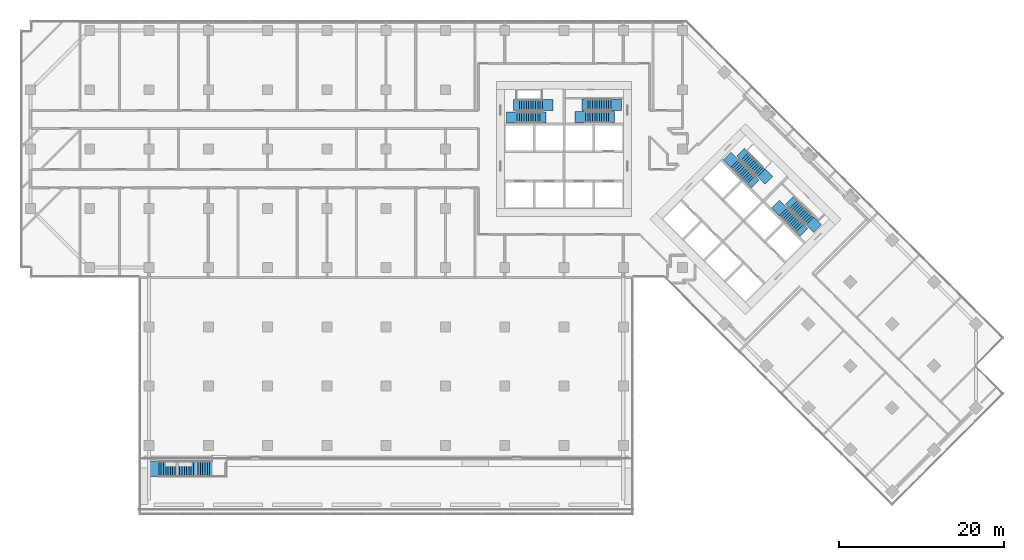
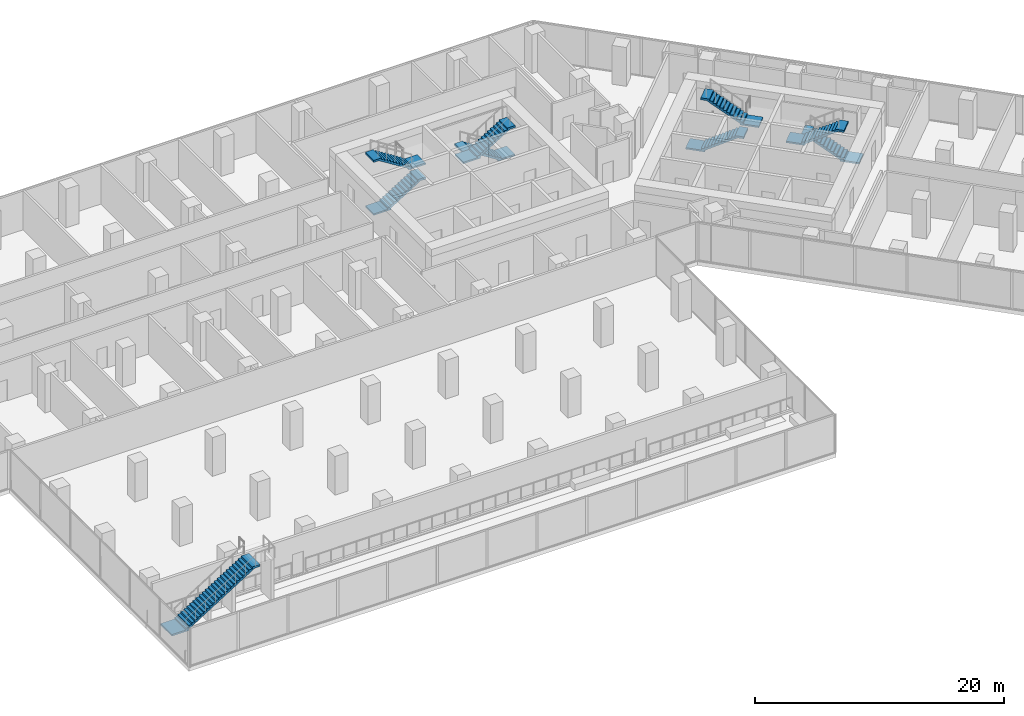
# One storey, part 24 of 27: 9 stair flights, 5 elements without a shape of their own.
"""IFC4 building model written with IfcOpenShell, lengths in metres."""

from ifc_helpers import new_model, si_unit, direction, frame, origin, place, context, subcontext, project, spatial, polyline, outline, extrude, material, type_object, element, aggregate, save


model = new_model("IFC4")

# Units and contexts
model_context = context("Model", 3, precision=1e-05, world=origin(), true_north=direction((0.0, 1.0)))
body_context = subcontext(model_context, "Body", "Model", "MODEL_VIEW")
ifc_project = project(units=[si_unit("LENGTHUNIT", "METRE"), si_unit("AREAUNIT", "SQUARE_METRE"), si_unit("VOLUMEUNIT", "CUBIC_METRE"), si_unit("PLANEANGLEUNIT", "RADIAN"), si_unit("MASSUNIT", "GRAM", prefix="KILO")], contexts=[model_context])

# Site, building, storey
site_placement = place(None, origin())
site = spatial("IfcSite", under=ifc_project, at=site_placement, CompositionType="ELEMENT")
building_placement = place(site_placement, origin())
building = spatial("IfcBuilding", under=site, at=building_placement, Name="Windrow Commons", CompositionType="ELEMENT")
storey_placement = place(building_placement, frame((0.0, 0.0, 6.0)))
storey = spatial("IfcBuildingStorey", under=building, at=storey_placement, Name="L01", CompositionType="ELEMENT", Elevation=6.0)

# Stair, stair flights
ifc_material_1 = material(Name="Concrete C40/50", Category="concrete")
stair_type_1 = type_object("IfcStairType", Name="Core stair", PredefinedType="HALF_TURN_STAIR", material=ifc_material_1)
placement = place(storey_placement, origin())
stair_1 = element("IfcStair", 1, at=placement, inside=storey, type_object=stair_type_1, Name="L01 Exit stair A1 core A", PredefinedType="HALF_TURN_STAIR")
ifc_material_2 = material(Name="Concrete C40/50", Category="concrete")
stair_flight_type_1 = type_object("IfcStairFlightType", Name="Core stair flight", PredefinedType="STRAIGHT", material=ifc_material_2)
stair_flight_1_placement = place(storey_placement, frame((59.1, 61.425, 0.0), z_axis=(0.0, 0.0, 1.0), x_axis=(1.0, 0.0, 0.0)))
stair_flight_1 = element("IfcStairFlight", 2, at=stair_flight_1_placement, type_object=stair_flight_type_1, Name="ST-A1 flight 1", NumberOfRisers=12, NumberOfTreads=11, PredefinedType="STRAIGHT", RiserHeight=0.175, TreadLength=0.28, context=body_context, shape_type="SweptSolid", body=[
    extrude(outline(polyline([(-1.3, -0.15), (-1.3, 0.0), (0.0, 0.0), (0.0, 0.175), (0.28, 0.175), (0.28, 0.35), (0.56, 0.35), (0.56, 0.525), (0.84, 0.525), (0.84, 0.7), (1.12, 0.7), (1.12, 0.875), (1.4, 0.875), (1.4, 1.05), (1.68, 1.05), (1.68, 1.225), (1.96, 1.225), (1.96, 1.4), (2.24, 1.4), (2.24, 1.575), (2.52, 1.575), (2.52, 1.75), (2.8, 1.75), (2.8, 1.925), (3.08, 1.925), (3.53, 1.925), (3.53, 1.725), (3.08, 1.725), (3.08, 1.7481), (0.283, 0.0), (0.283, -0.15), (-1.3, -0.15)])), frame((0.0, 0.675, 0.0), z_axis=(0.0, -1.0, 0.0), x_axis=(1.0, 0.0, 0.0)), (0.0, 0.0, 1.0), 1.35),
])
stair_flight_2_placement = place(storey_placement, frame((62.18, 62.925, 2.1), z_axis=(0.0, 0.0, 1.0), x_axis=(-1.0, 0.0, 0.0)))
stair_flight_2 = element("IfcStairFlight", 3, at=stair_flight_2_placement, type_object=stair_flight_type_1, Name="ST-A1 flight 2", NumberOfRisers=12, NumberOfTreads=11, PredefinedType="STRAIGHT", RiserHeight=0.175, TreadLength=0.28, context=body_context, shape_type="SweptSolid", body=[
    extrude(outline(polyline([(-1.3, -0.15), (-1.3, 0.0), (0.0, 0.0), (0.0, 0.175), (0.28, 0.175), (0.28, 0.35), (0.56, 0.35), (0.56, 0.525), (0.84, 0.525), (0.84, 0.7), (1.12, 0.7), (1.12, 0.875), (1.4, 0.875), (1.4, 1.05), (1.68, 1.05), (1.68, 1.225), (1.96, 1.225), (1.96, 1.4), (2.24, 1.4), (2.24, 1.575), (2.52, 1.575), (2.52, 1.75), (2.8, 1.75), (2.8, 1.925), (3.08, 1.925), (3.53, 1.925), (3.53, 1.725), (3.08, 1.725), (3.08, 1.7481), (0.283, 0.0), (0.283, -0.15), (-1.3, -0.15)])), frame((0.0, 0.675, 0.0), z_axis=(0.0, -1.0, 0.0), x_axis=(1.0, 0.0, 0.0)), (0.0, 0.0, 1.0), 1.35),
])
aggregate(stair_1, [stair_flight_1, stair_flight_2])

stair_2 = element("IfcStair", 4, at=placement, inside=storey, type_object=stair_type_1, Name="L01 Exit stair A2 core A", PredefinedType="HALF_TURN_STAIR")
stair_flight_3_placement = place(storey_placement, frame((70.5, 62.98, 0.0), z_axis=(0.0, 0.0, 1.0), x_axis=(-1.0, 0.0, 0.0)))
stair_flight_3 = element("IfcStairFlight", 5, at=stair_flight_3_placement, type_object=stair_flight_type_1, Name="ST-A2 flight 1", NumberOfRisers=12, NumberOfTreads=11, PredefinedType="STRAIGHT", RiserHeight=0.175, TreadLength=0.28, context=body_context, shape_type="SweptSolid", body=[
    extrude(outline(polyline([(-1.3, -0.15), (-1.3, 0.0), (0.0, 0.0), (0.0, 0.175), (0.28, 0.175), (0.28, 0.35), (0.56, 0.35), (0.56, 0.525), (0.84, 0.525), (0.84, 0.7), (1.12, 0.7), (1.12, 0.875), (1.4, 0.875), (1.4, 1.05), (1.68, 1.05), (1.68, 1.225), (1.96, 1.225), (1.96, 1.4), (2.24, 1.4), (2.24, 1.575), (2.52, 1.575), (2.52, 1.75), (2.8, 1.75), (2.8, 1.925), (3.08, 1.925), (3.53, 1.925), (3.53, 1.725), (3.08, 1.725), (3.08, 1.7481), (0.283, 0.0), (0.283, -0.15), (-1.3, -0.15)])), frame((0.0, 0.675, 0.0), z_axis=(0.0, -1.0, 0.0), x_axis=(1.0, 0.0, 0.0)), (0.0, 0.0, 1.0), 1.35),
])
stair_flight_4_placement = place(storey_placement, frame((67.42, 61.48, 2.1), z_axis=(0.0, 0.0, 1.0), x_axis=(1.0, 0.0, 0.0)))
stair_flight_4 = element("IfcStairFlight", 6, at=stair_flight_4_placement, type_object=stair_flight_type_1, Name="ST-A2 flight 2", NumberOfRisers=12, NumberOfTreads=11, PredefinedType="STRAIGHT", RiserHeight=0.175, TreadLength=0.28, context=body_context, shape_type="SweptSolid", body=[
    extrude(outline(polyline([(-1.3, -0.15), (-1.3, 0.0), (0.0, 0.0), (0.0, 0.175), (0.28, 0.175), (0.28, 0.35), (0.56, 0.35), (0.56, 0.525), (0.84, 0.525), (0.84, 0.7), (1.12, 0.7), (1.12, 0.875), (1.4, 0.875), (1.4, 1.05), (1.68, 1.05), (1.68, 1.225), (1.96, 1.225), (1.96, 1.4), (2.24, 1.4), (2.24, 1.575), (2.52, 1.575), (2.52, 1.75), (2.8, 1.75), (2.8, 1.925), (3.08, 1.925), (3.53, 1.925), (3.53, 1.725), (3.08, 1.725), (3.08, 1.7481), (0.283, 0.0), (0.283, -0.15), (-1.3, -0.15)])), frame((0.0, 0.675, 0.0), z_axis=(0.0, -1.0, 0.0), x_axis=(1.0, 0.0, 0.0)), (0.0, 0.0, 1.0), 1.35),
])
aggregate(stair_2, [stair_flight_3, stair_flight_4])

stair_3 = element("IfcStair", 7, at=placement, inside=storey, type_object=stair_type_1, Name="L01 Exit stair B1 core B", PredefinedType="HALF_TURN_STAIR")
stair_flight_5_placement = place(storey_placement, frame((85.5109, 55.8249, 0.0), z_axis=(0.0, 0.0, 1.0), x_axis=(0.7071067812, -0.7071067812, 0.0)))
stair_flight_5 = element("IfcStairFlight", 8, at=stair_flight_5_placement, type_object=stair_flight_type_1, Name="ST-B1 flight 1", NumberOfRisers=12, NumberOfTreads=11, PredefinedType="STRAIGHT", RiserHeight=0.175, TreadLength=0.28, context=body_context, shape_type="SweptSolid", body=[
    extrude(outline(polyline([(-1.3, -0.15), (-1.3, 0.0), (0.0, 0.0), (0.0, 0.175), (0.28, 0.175), (0.28, 0.35), (0.56, 0.35), (0.56, 0.525), (0.84, 0.525), (0.84, 0.7), (1.12, 0.7), (1.12, 0.875), (1.4, 0.875), (1.4, 1.05), (1.68, 1.05), (1.68, 1.225), (1.96, 1.225), (1.96, 1.4), (2.24, 1.4), (2.24, 1.575), (2.52, 1.575), (2.52, 1.75), (2.8, 1.75), (2.8, 1.925), (3.08, 1.925), (3.53, 1.925), (3.53, 1.725), (3.08, 1.725), (3.08, 1.7481), (0.283, 0.0), (0.283, -0.15), (-1.3, -0.15)])), frame((0.0, 0.675, 0.0), z_axis=(0.0, -1.0, 0.0), x_axis=(1.0, 0.0, 0.0)), (0.0, 0.0, 1.0), 1.35),
])
stair_flight_6_placement = place(storey_placement, frame((88.7495, 54.7077, 2.1), z_axis=(0.0, 0.0, 1.0), x_axis=(-0.7071067812, 0.7071067812, 0.0)))
stair_flight_6 = element("IfcStairFlight", 9, at=stair_flight_6_placement, type_object=stair_flight_type_1, Name="ST-B1 flight 2", NumberOfRisers=12, NumberOfTreads=11, PredefinedType="STRAIGHT", RiserHeight=0.175, TreadLength=0.28, context=body_context, shape_type="SweptSolid", body=[
    extrude(outline(polyline([(-1.3, -0.15), (-1.3, 0.0), (0.0, 0.0), (0.0, 0.175), (0.28, 0.175), (0.28, 0.35), (0.56, 0.35), (0.56, 0.525), (0.84, 0.525), (0.84, 0.7), (1.12, 0.7), (1.12, 0.875), (1.4, 0.875), (1.4, 1.05), (1.68, 1.05), (1.68, 1.225), (1.96, 1.225), (1.96, 1.4), (2.24, 1.4), (2.24, 1.575), (2.52, 1.575), (2.52, 1.75), (2.8, 1.75), (2.8, 1.925), (3.08, 1.925), (3.53, 1.925), (3.53, 1.725), (3.08, 1.725), (3.08, 1.7481), (0.283, 0.0), (0.283, -0.15), (-1.3, -0.15)])), frame((0.0, 0.675, 0.0), z_axis=(0.0, -1.0, 0.0), x_axis=(1.0, 0.0, 0.0)), (0.0, 0.0, 1.0), 1.35),
])
aggregate(stair_3, [stair_flight_5, stair_flight_6])

stair_4 = element("IfcStair", 10, at=placement, inside=storey, type_object=stair_type_1, Name="L01 Exit stair B2 core B", PredefinedType="HALF_TURN_STAIR")
stair_flight_7_placement = place(storey_placement, frame((94.6715, 48.8635, 0.0), z_axis=(0.0, 0.0, 1.0), x_axis=(-0.7071067812, 0.7071067812, 0.0)))
stair_flight_7 = element("IfcStairFlight", 11, at=stair_flight_7_placement, type_object=stair_flight_type_1, Name="ST-B2 flight 1", NumberOfRisers=12, NumberOfTreads=11, PredefinedType="STRAIGHT", RiserHeight=0.175, TreadLength=0.28, context=body_context, shape_type="SweptSolid", body=[
    extrude(outline(polyline([(-1.3, -0.15), (-1.3, 0.0), (0.0, 0.0), (0.0, 0.175), (0.28, 0.175), (0.28, 0.35), (0.56, 0.35), (0.56, 0.525), (0.84, 0.525), (0.84, 0.7), (1.12, 0.7), (1.12, 0.875), (1.4, 0.875), (1.4, 1.05), (1.68, 1.05), (1.68, 1.225), (1.96, 1.225), (1.96, 1.4), (2.24, 1.4), (2.24, 1.575), (2.52, 1.575), (2.52, 1.75), (2.8, 1.75), (2.8, 1.925), (3.08, 1.925), (3.53, 1.925), (3.53, 1.725), (3.08, 1.725), (3.08, 1.7481), (0.283, 0.0), (0.283, -0.15), (-1.3, -0.15)])), frame((0.0, 0.675, 0.0), z_axis=(0.0, -1.0, 0.0), x_axis=(1.0, 0.0, 0.0)), (0.0, 0.0, 1.0), 1.35),
])
stair_flight_8_placement = place(storey_placement, frame((91.4329, 49.9807, 2.1), z_axis=(0.0, 0.0, 1.0), x_axis=(0.7071067812, -0.7071067812, 0.0)))
stair_flight_8 = element("IfcStairFlight", 12, at=stair_flight_8_placement, type_object=stair_flight_type_1, Name="ST-B2 flight 2", NumberOfRisers=12, NumberOfTreads=11, PredefinedType="STRAIGHT", RiserHeight=0.175, TreadLength=0.28, context=body_context, shape_type="SweptSolid", body=[
    extrude(outline(polyline([(-1.3, -0.15), (-1.3, 0.0), (0.0, 0.0), (0.0, 0.175), (0.28, 0.175), (0.28, 0.35), (0.56, 0.35), (0.56, 0.525), (0.84, 0.525), (0.84, 0.7), (1.12, 0.7), (1.12, 0.875), (1.4, 0.875), (1.4, 1.05), (1.68, 1.05), (1.68, 1.225), (1.96, 1.225), (1.96, 1.4), (2.24, 1.4), (2.24, 1.575), (2.52, 1.575), (2.52, 1.75), (2.8, 1.75), (2.8, 1.925), (3.08, 1.925), (3.53, 1.925), (3.53, 1.725), (3.08, 1.725), (3.08, 1.7481), (0.283, 0.0), (0.283, -0.15), (-1.3, -0.15)])), frame((0.0, 0.675, 0.0), z_axis=(0.0, -1.0, 0.0), x_axis=(1.0, 0.0, 0.0)), (0.0, 0.0, 1.0), 1.35),
])
aggregate(stair_4, [stair_flight_7, stair_flight_8])

# Stair, stair flight
ifc_material_3 = material(Name="Concrete C40/50", Category="concrete")
stair_type_2 = type_object("IfcStairType", Name="Terrace public stair", PredefinedType="STRAIGHT_RUN_STAIR", material=ifc_material_3)
stair_5 = element("IfcStair", 13, at=placement, inside=storey, type_object=stair_type_2, Name="Public stair L01 to L02", PredefinedType="STRAIGHT_RUN_STAIR")
ifc_material_4 = material(Name="Concrete C40/50", Category="concrete")
stair_flight_type_2 = type_object("IfcStairFlightType", Name="Terrace public stair flight", PredefinedType="STRAIGHT", material=ifc_material_4)
stair_flight_9_placement = place(storey_placement, frame((15.6, 18.75, 0.0), z_axis=(0.0, 0.0, 1.0), x_axis=(1.0, 0.0, 0.0)))
stair_flight_9 = element("IfcStairFlight", 14, at=stair_flight_9_placement, type_object=stair_flight_type_2, Name="TST flight 1", NumberOfRisers=24, NumberOfTreads=23, PredefinedType="STRAIGHT", RiserHeight=0.175, TreadLength=0.28, context=body_context, shape_type="SweptSolid", body=[
    extrude(outline(polyline([(-1.3, -0.15), (-1.3, 0.0), (0.0, 0.0), (0.0, 0.175), (0.28, 0.175), (0.28, 0.35), (0.56, 0.35), (0.56, 0.525), (0.84, 0.525), (0.84, 0.7), (1.12, 0.7), (1.12, 0.875), (1.4, 0.875), (1.4, 1.05), (1.68, 1.05), (1.68, 1.225), (1.96, 1.225), (1.96, 1.4), (2.24, 1.4), (2.24, 1.575), (2.52, 1.575), (2.52, 1.75), (2.8, 1.75), (2.8, 1.925), (3.08, 1.925), (3.08, 2.1), (3.36, 2.1), (3.36, 2.275), (3.64, 2.275), (3.64, 2.45), (3.92, 2.45), (3.92, 2.625), (4.2, 2.625), (4.2, 2.8), (4.48, 2.8), (4.48, 2.975), (4.76, 2.975), (4.76, 3.15), (5.04, 3.15), (5.04, 3.325), (5.32, 3.325), (5.32, 3.5), (5.6, 3.5), (5.6, 3.675), (5.88, 3.675), (5.88, 3.85), (6.16, 3.85), (6.16, 4.025), (6.44, 4.025), (6.89, 4.025), (6.89, 3.825), (6.44, 3.825), (6.44, 3.8481), (0.283, 0.0), (0.283, -0.15), (-1.3, -0.15)])), frame((0.0, 0.9, 0.0), z_axis=(0.0, -1.0, 0.0), x_axis=(1.0, 0.0, 0.0)), (0.0, 0.0, 1.0), 1.8),
])
aggregate(stair_5, [stair_flight_9])

save(model, "model.ifc")
